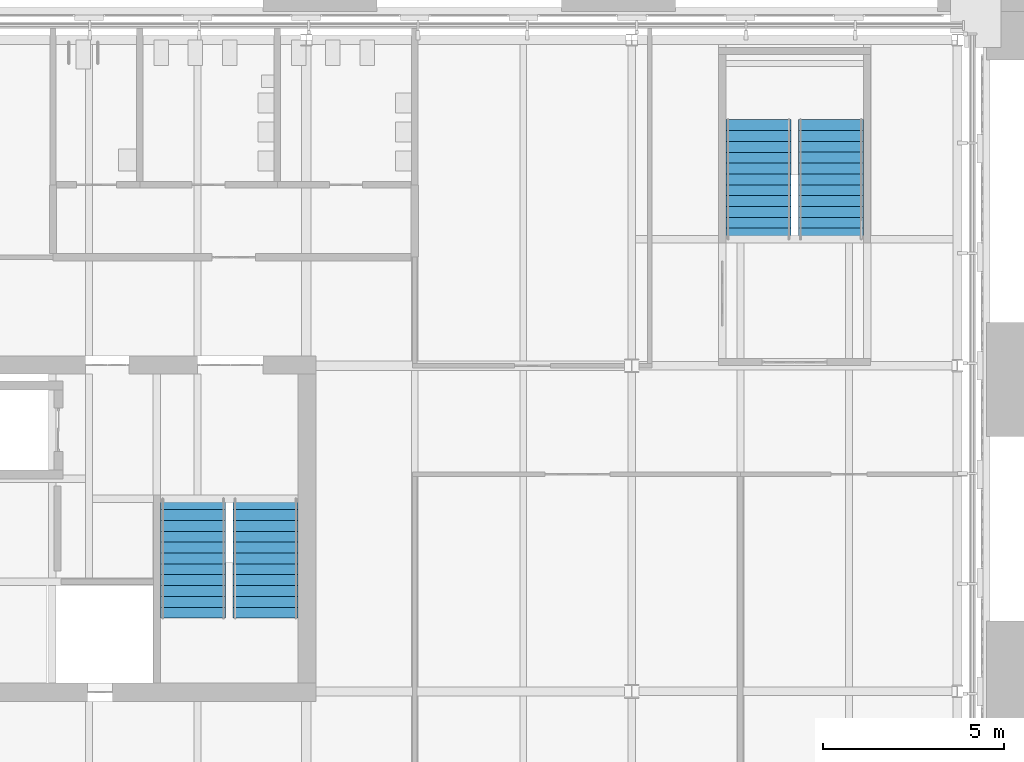
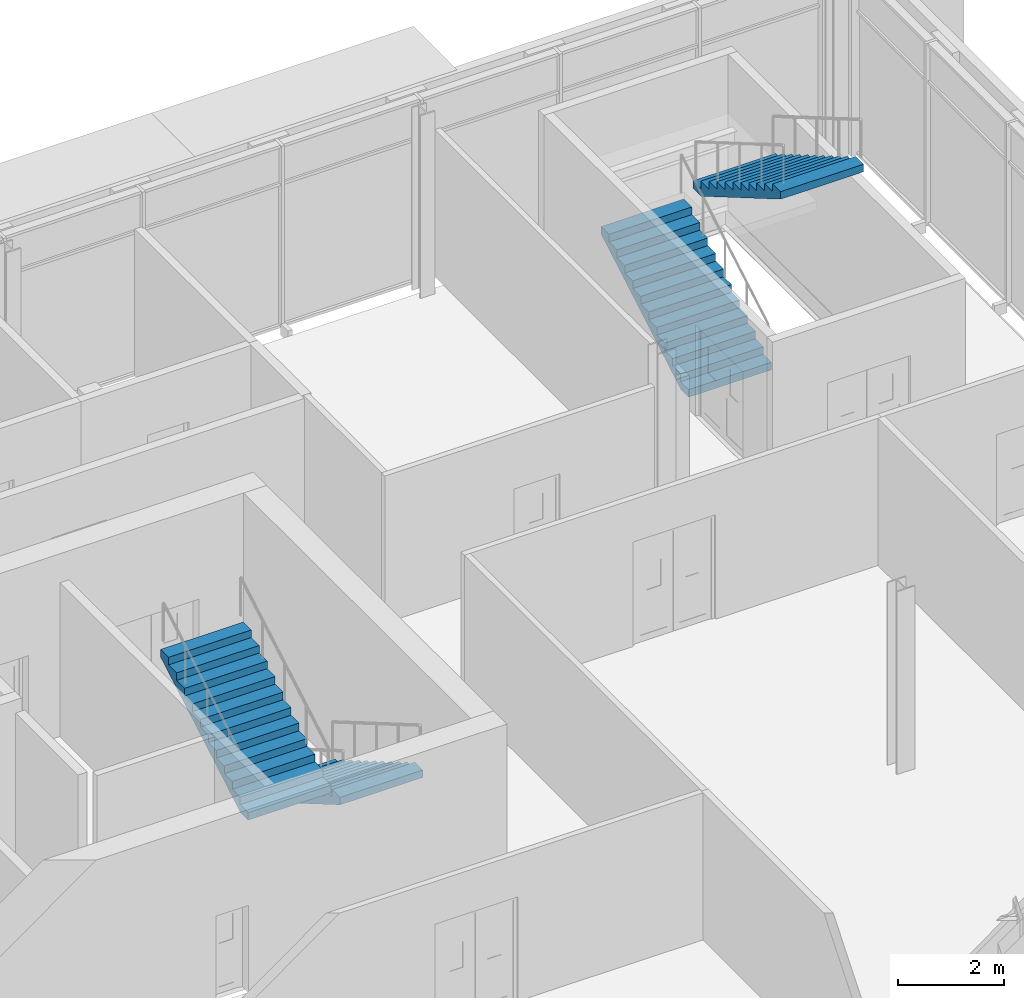
# One storey, part 15 of 22: 4 stair flights, 2 elements without a shape of their own.
"""IFC4 building model written with IfcOpenShell, lengths in metres."""

from ifc_helpers import new_model, si_unit, direction, frame, origin, place, context, subcontext, project, spatial, polyline, outline, extrude, material, type_object, element, aggregate, save


model = new_model("IFC4")

# Units and contexts
model_context = context("Model", 3, precision=1e-05, world=origin(), true_north=direction((0.0, 1.0)))
body_context = subcontext(model_context, "Body", "Model", "MODEL_VIEW")
ifc_project = project(units=[si_unit("LENGTHUNIT", "METRE"), si_unit("AREAUNIT", "SQUARE_METRE"), si_unit("VOLUMEUNIT", "CUBIC_METRE"), si_unit("PLANEANGLEUNIT", "RADIAN"), si_unit("MASSUNIT", "GRAM", prefix="KILO")], contexts=[model_context])

# Site, building, storey
site_placement = place(None, origin())
site = spatial("IfcSite", under=ifc_project, at=site_placement, CompositionType="ELEMENT")
building_placement = place(site_placement, origin())
building = spatial("IfcBuilding", under=site, at=building_placement, Name="Baradari Gate Terminus", CompositionType="ELEMENT")
storey_placement = place(building_placement, frame((0.0, 0.0, 28.5)))
storey = spatial("IfcBuildingStorey", under=building, at=storey_placement, Name="L06", CompositionType="ELEMENT", Elevation=28.5)

# Stair, stair flights
ifc_material_1 = material(Name="Concrete C32/40", Category="concrete")
stair_type_1 = type_object("IfcStairType", Name="Exit stair ST-T2 riser 175 x 1800", PredefinedType="HALF_TURN_STAIR", material=ifc_material_1)
stair_1_placement = place(storey_placement, origin())
stair_1 = element("IfcStair", 1, at=stair_1_placement, inside=storey, type_object=stair_type_1, Name="Stair ST-T2 L06 to L07", PredefinedType="HALF_TURN_STAIR")
ifc_material_2 = material(Name="Concrete C32/40", Category="concrete")
stair_flight_type = type_object("IfcStairFlightType", Name="Stair flight 175/300 x 1800", PredefinedType="STRAIGHT", material=ifc_material_2)
stair_flight_1_placement = place(storey_placement, frame((43.875, 131.324951171875, 0.0), z_axis=(0.0, 0.0, 1.0), x_axis=(0.0, -1.0, 0.0)))
stair_flight_1 = element("IfcStairFlight", 2, at=stair_flight_1_placement, type_object=stair_flight_type, Name="ST-T2 flight 1", NumberOfRisers=12, NumberOfTreads=11, PredefinedType="STRAIGHT", RiserHeight=0.175, TreadLength=0.3, context=body_context, shape_type="SweptSolid", body=[
    extrude(outline(polyline([(0.0, 0.0), (0.0, 0.175048828125), (0.300048828125, 0.175048828125), (0.300048828125, 0.35009765625), (0.60009765625, 0.35009765625), (0.60009765625, 0.52490234375), (0.89990234375, 0.52490234375), (0.89990234375, 0.699951171875), (1.199951171875, 0.699951171875), (1.199951171875, 0.875), (1.5, 0.875), (1.5, 1.050048828125), (1.800048828125, 1.050048828125), (1.800048828125, 1.22509765625), (2.10009765625, 1.22509765625), (2.10009765625, 1.39990234375), (2.39990234375, 1.39990234375), (2.39990234375, 1.574951171875), (2.699951171875, 1.574951171875), (2.699951171875, 1.75), (3.0, 1.75), (3.0, 1.925048828125), (3.300048828125, 1.925048828125), (3.300048828125, 2.10009765625), (3.300048828125, 1.75146484375), (0.297607421875, 0.0), (0.0, 0.0)])), frame((0.0, 0.89990234375, 0.0), z_axis=(0.0, -1.0, 0.0), x_axis=(1.0, 0.0, 0.0)), (0.0, 0.0, 1.0), 1.800048828125),
])
stair_flight_2_placement = place(storey_placement, frame((41.875, 128.02490234375, 2.10009765625), z_axis=(0.0, 0.0, 1.0), x_axis=(0.0, 1.0, 0.0)))
stair_flight_2 = element("IfcStairFlight", 3, at=stair_flight_2_placement, type_object=stair_flight_type, Name="ST-T2 flight 2", NumberOfRisers=12, NumberOfTreads=11, PredefinedType="STRAIGHT", RiserHeight=0.175, TreadLength=0.3, context=body_context, shape_type="SweptSolid", body=[
    extrude(outline(polyline([(0.0, 0.0), (0.0, 0.175048828125), (0.300048828125, 0.175048828125), (0.300048828125, 0.35009765625), (0.60009765625, 0.35009765625), (0.60009765625, 0.52490234375), (0.89990234375, 0.52490234375), (0.89990234375, 0.699951171875), (1.199951171875, 0.699951171875), (1.199951171875, 0.875), (1.5, 0.875), (1.5, 1.050048828125), (1.800048828125, 1.050048828125), (1.800048828125, 1.22509765625), (2.10009765625, 1.22509765625), (2.10009765625, 1.39990234375), (2.39990234375, 1.39990234375), (2.39990234375, 1.574951171875), (2.699951171875, 1.574951171875), (2.699951171875, 1.75), (3.0, 1.75), (3.0, 1.925048828125), (3.300048828125, 1.925048828125), (3.300048828125, 2.10009765625), (3.300048828125, 1.75146484375), (0.297607421875, 0.0), (0.0, 0.0)])), frame((0.0, 0.89990234375, 0.0), z_axis=(0.0, -1.0, 0.0), x_axis=(1.0, 0.0, 0.0)), (0.0, 0.0, 1.0), 1.800048828125),
])
aggregate(stair_1, [stair_flight_1, stair_flight_2])

ifc_material_3 = material(Name="Concrete C32/40", Category="concrete")
stair_type_2 = type_object("IfcStairType", Name="Exit stair ST-T3 riser 175 x 1800", PredefinedType="HALF_TURN_STAIR", material=ifc_material_3)
stair_2_placement = place(storey_placement, origin())
stair_2 = element("IfcStair", 4, at=stair_2_placement, inside=storey, type_object=stair_type_2, Name="Stair ST-T3 L06 to L07", PredefinedType="HALF_TURN_STAIR")
stair_flight_3_placement = place(storey_placement, frame((57.5, 138.5, 0.0), z_axis=(0.0, 0.0, 1.0), x_axis=(0.0, 1.0, 0.0)))
stair_flight_3 = element("IfcStairFlight", 5, at=stair_flight_3_placement, type_object=stair_flight_type, Name="ST-T3 flight 1", NumberOfRisers=12, NumberOfTreads=11, PredefinedType="STRAIGHT", RiserHeight=0.175, TreadLength=0.3, context=body_context, shape_type="SweptSolid", body=[
    extrude(outline(polyline([(0.0, 0.0), (0.0, 0.175048828125), (0.300048828125, 0.175048828125), (0.300048828125, 0.35009765625), (0.60009765625, 0.35009765625), (0.60009765625, 0.52490234375), (0.89990234375, 0.52490234375), (0.89990234375, 0.699951171875), (1.199951171875, 0.699951171875), (1.199951171875, 0.875), (1.5, 0.875), (1.5, 1.050048828125), (1.800048828125, 1.050048828125), (1.800048828125, 1.22509765625), (2.10009765625, 1.22509765625), (2.10009765625, 1.39990234375), (2.39990234375, 1.39990234375), (2.39990234375, 1.574951171875), (2.699951171875, 1.574951171875), (2.699951171875, 1.75), (3.0, 1.75), (3.0, 1.925048828125), (3.300048828125, 1.925048828125), (3.300048828125, 2.10009765625), (3.300048828125, 1.75146484375), (0.297607421875, 0.0), (0.0, 0.0)])), frame((0.0, 0.89990234375, 0.0), z_axis=(0.0, -1.0, 0.0), x_axis=(1.0, 0.0, 0.0)), (0.0, 0.0, 1.0), 1.800048828125),
])
stair_flight_4_placement = place(storey_placement, frame((59.5, 141.800048828125, 2.10009765625), z_axis=(0.0, 0.0, 1.0), x_axis=(0.0, -1.0, 0.0)))
stair_flight_4 = element("IfcStairFlight", 6, at=stair_flight_4_placement, type_object=stair_flight_type, Name="ST-T3 flight 2", NumberOfRisers=12, NumberOfTreads=11, PredefinedType="STRAIGHT", RiserHeight=0.175, TreadLength=0.3, context=body_context, shape_type="SweptSolid", body=[
    extrude(outline(polyline([(0.0, 0.0), (0.0, 0.175048828125), (0.300048828125, 0.175048828125), (0.300048828125, 0.35009765625), (0.60009765625, 0.35009765625), (0.60009765625, 0.52490234375), (0.89990234375, 0.52490234375), (0.89990234375, 0.699951171875), (1.199951171875, 0.699951171875), (1.199951171875, 0.875), (1.5, 0.875), (1.5, 1.050048828125), (1.800048828125, 1.050048828125), (1.800048828125, 1.22509765625), (2.10009765625, 1.22509765625), (2.10009765625, 1.39990234375), (2.39990234375, 1.39990234375), (2.39990234375, 1.574951171875), (2.699951171875, 1.574951171875), (2.699951171875, 1.75), (3.0, 1.75), (3.0, 1.925048828125), (3.300048828125, 1.925048828125), (3.300048828125, 2.10009765625), (3.300048828125, 1.75146484375), (0.297607421875, 0.0), (0.0, 0.0)])), frame((0.0, 0.89990234375, 0.0), z_axis=(0.0, -1.0, 0.0), x_axis=(1.0, 0.0, 0.0)), (0.0, 0.0, 1.0), 1.800048828125),
])
aggregate(stair_2, [stair_flight_3, stair_flight_4])

save(model, "model.ifc")
